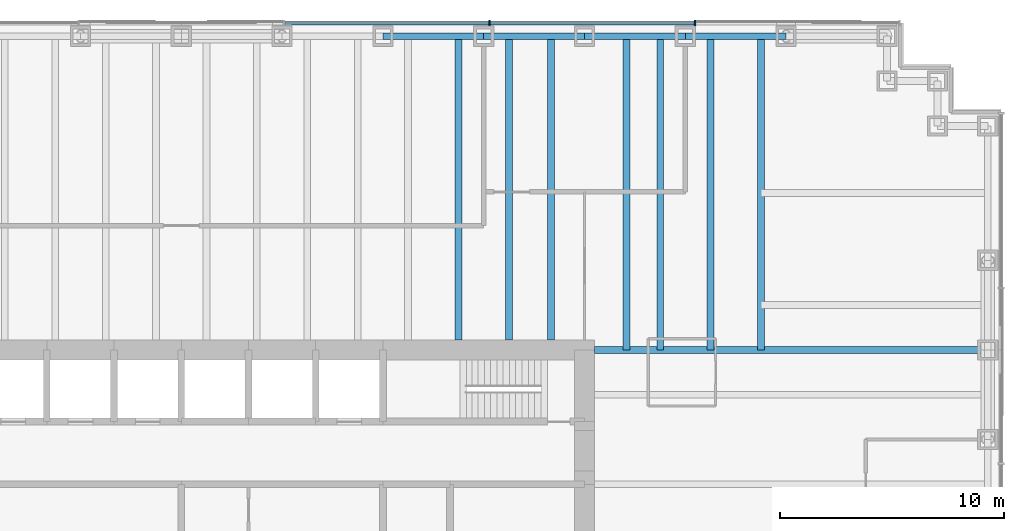
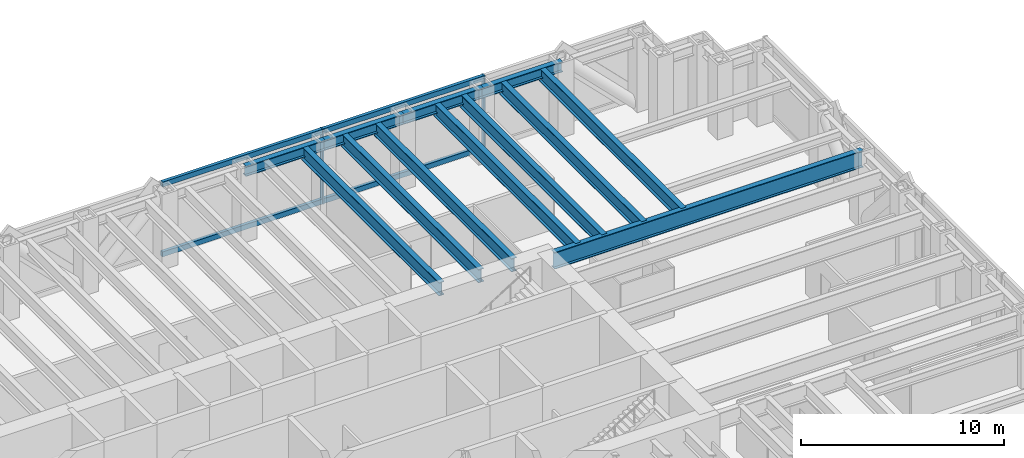
# One storey, part 6 of 13: 12 beams, 6 members, 1 element without a shape of its own.
"""IFC4 building model written with IfcOpenShell, lengths in metres."""

from ifc_helpers import new_model, si_unit, direction, frame, origin, origin_2d, place, context, subcontext, project, spatial, rectangle, i_section, extrude, material, material_profile, profile_set, type_object, element, aggregate, save


model = new_model("IFC4")

# Units and contexts
model_context = context("Model", 3, precision=1e-05, world=origin(), true_north=direction((0.0, 1.0)))
body_context = subcontext(model_context, "Body", "Model", "MODEL_VIEW")
ifc_project = project(units=[si_unit("LENGTHUNIT", "METRE"), si_unit("AREAUNIT", "SQUARE_METRE"), si_unit("VOLUMEUNIT", "CUBIC_METRE"), si_unit("PLANEANGLEUNIT", "RADIAN"), si_unit("MASSUNIT", "GRAM", prefix="KILO")], contexts=[model_context])

# Site, building, storey
site_placement = place(None, origin())
site = spatial("IfcSite", under=ifc_project, at=site_placement, CompositionType="ELEMENT")
building_placement = place(site_placement, origin())
building = spatial("IfcBuilding", under=site, at=building_placement, Name="Rheinbord Bourse Tower", CompositionType="ELEMENT")
storey_placement = place(building_placement, frame((0.0, 0.0, 32.0)))
storey = spatial("IfcBuildingStorey", under=building, at=storey_placement, Name="L06", CompositionType="ELEMENT", Elevation=32.0)

# Curtain wall, members
ifc_material_1 = material(Name="Dark glass and black aluminium", Category="aluminium")
curtain_wall_type = type_object("IfcCurtainWallType", Name="CW1 DARK GLASS CURTAIN WALL", PredefinedType="USERDEFINED", material=ifc_material_1)
curtain_wall_placement = place(storey_placement, origin())
curtain_wall = element("IfcCurtainWall", 1, at=curtain_wall_placement, inside=storey, type_object=curtain_wall_type, Name="Curtain wall CW1 N L06", ObjectType="UNITISED CURTAIN WALL", PredefinedType="USERDEFINED")
ifc_material_2 = material(Name="Black anodised aluminium", Category="aluminium")
ifc_material_profile_1 = material_profile(ifc_material_2, rectangle(XDim=0.25, YDim=0.080078125, at=origin_2d()), Name="CW1 MULLION 80x250")
ifc_profile_set_1 = profile_set([ifc_material_profile_1], Name="Black anodised aluminium")
member_type_1 = type_object("IfcMemberType", Name="CW1 BLACK MULLION", PredefinedType="MULLION", material=ifc_profile_set_1)
member_1_placement = place(storey_placement, frame((58.928466796875, 46.60009765625, 0.0), z_axis=(0.0, 0.0, 1.0), x_axis=(0.0, -1.0, 0.0)))
member_1 = element("IfcMember", 2, at=member_1_placement, type_object=member_type_1, Name="CW1 mullion 2", PredefinedType="MULLION", context=body_context, shape_type="SweptSolid", body=[
    extrude(rectangle(XDim=0.25, YDim=0.080078125, at=origin_2d()), origin(), (0.0, 0.0, 1.0), 4.5),
])
member_2_placement = place(storey_placement, frame((49.757080078125, 46.60009765625, 0.0), z_axis=(0.0, 0.0, 1.0), x_axis=(0.0, -1.0, 0.0)))
member_2 = element("IfcMember", 3, at=member_2_placement, type_object=member_type_1, Name="CW1 mullion 3", PredefinedType="MULLION", context=body_context, shape_type="SweptSolid", body=[
    extrude(rectangle(XDim=0.25, YDim=0.080078125, at=origin_2d()), origin(), (0.0, 0.0, 1.0), 4.5),
])
ifc_material_3 = material(Name="Black anodised aluminium", Category="aluminium")
ifc_material_profile_2 = material_profile(ifc_material_3, rectangle(XDim=0.179931640625, YDim=0.300048828125, at=origin_2d()), Name="CW1 TRANSOM 300x180")
ifc_profile_set_2 = profile_set([ifc_material_profile_2], Name="Black anodised aluminium")
member_type_2 = type_object("IfcMemberType", Name="CW1 BLACK TRANSOM", PredefinedType="USERDEFINED", material=ifc_profile_set_2)
member_3_placement = place(storey_placement, frame((58.888671875, 46.60009765625, 0.14990234375), z_axis=(-1.0, 0.0, 0.0), x_axis=(0.0, -1.0, 0.0)))
member_3 = element("IfcMember", 4, at=member_3_placement, type_object=member_type_2, Name="CW1 transom 2.1", ObjectType="TRANSOM", PredefinedType="USERDEFINED", context=body_context, shape_type="SweptSolid", body=[
    extrude(rectangle(XDim=0.179931640625, YDim=0.300048828125, at=origin_2d()), origin(), (0.0, 0.0, 1.0), 9.091552734375),
])
member_4_placement = place(storey_placement, frame((58.888671875, 46.60009765625, 4.35009765625), z_axis=(-1.0, 0.0, 0.0), x_axis=(0.0, -1.0, 0.0)))
member_4 = element("IfcMember", 5, at=member_4_placement, type_object=member_type_2, Name="CW1 transom 2.2", ObjectType="TRANSOM", PredefinedType="USERDEFINED", context=body_context, shape_type="SweptSolid", body=[
    extrude(rectangle(XDim=0.179931640625, YDim=0.300048828125, at=origin_2d()), origin(), (0.0, 0.0, 1.0), 9.091552734375),
])
member_5_placement = place(storey_placement, frame((49.717041015625, 46.60009765625, 0.14990234375), z_axis=(-1.0, 0.0, 0.0), x_axis=(0.0, -1.0, 0.0)))
member_5 = element("IfcMember", 6, at=member_5_placement, type_object=member_type_2, Name="CW1 transom 3.1", ObjectType="TRANSOM", PredefinedType="USERDEFINED", context=body_context, shape_type="SweptSolid", body=[
    extrude(rectangle(XDim=0.179931640625, YDim=0.300048828125, at=origin_2d()), origin(), (0.0, 0.0, 1.0), 9.09130859375),
])
member_6_placement = place(storey_placement, frame((49.717041015625, 46.60009765625, 4.35009765625), z_axis=(-1.0, 0.0, 0.0), x_axis=(0.0, -1.0, 0.0)))
member_6 = element("IfcMember", 7, at=member_6_placement, type_object=member_type_2, Name="CW1 transom 3.2", ObjectType="TRANSOM", PredefinedType="USERDEFINED", context=body_context, shape_type="SweptSolid", body=[
    extrude(rectangle(XDim=0.179931640625, YDim=0.300048828125, at=origin_2d()), origin(), (0.0, 0.0, 1.0), 9.09130859375),
])
aggregate(curtain_wall, [member_1, member_2, member_3, member_4, member_5, member_6])

# Beams
ifc_material_4 = material(Name="Steel S460", Category="steel")
ifc_material_profile_3 = material_profile(ifc_material_4, i_section(OverallWidth=0.300048828125, OverallDepth=0.800048828125, WebThickness=0.017578125, FlangeThickness=0.032958984375, at=origin_2d()), Name="HEB 800")
ifc_profile_set_3 = profile_set([ifc_material_profile_3], Name="Steel S460")
beam_type_1 = type_object("IfcBeamType", Name="FLOOR BEAM HEB 800", PredefinedType="BEAM", material=ifc_profile_set_3)
for number, where, z_axis, x_axis, name in (
    (8, (48.375, 46.0, 3.919921875), (0.0, -1.0, 0.0), (1.0, 0.0, 0.0), "Floor beam N-45b L07"),
    (9, (50.625, 46.0, 3.919921875), (0.0, -1.0, 0.0), (1.0, 0.0, 0.0), "Floor beam N-49.5a L07"),
    (10, (52.5, 46.0, 3.919921875), (0.0, -1.0, 0.0), (1.0, 0.0, 0.0), "Floor beam N-49.5b L07"),
):
    element("IfcBeam", number, at=place(storey_placement, frame(where, z_axis=z_axis, x_axis=x_axis)), inside=storey, type_object=beam_type_1, Name=name, PredefinedType="BEAM", context=body_context, shape_type="SweptSolid", body=[
        extrude(i_section(OverallWidth=0.300048828125, OverallDepth=0.800048828125, WebThickness=0.017578125, FlangeThickness=0.032958984375, at=origin_2d()), origin(), (0.0, 0.0, 1.0), 13.550048828125),
    ])
for number, where, z_axis, x_axis, name in (
    (11, (55.875, 46.0, 3.919921875), (0.0, -1.0, 0.0), (1.0, 0.0, 0.0), "Floor beam N-54a L07"),
    (12, (57.375, 46.0, 3.919921875), (0.0, -1.0, 0.0), (1.0, 0.0, 0.0), "Floor beam N-54b L07"),
    (13, (59.625, 46.0, 3.919921875), (0.0, -1.0, 0.0), (1.0, 0.0, 0.0), "Floor beam N-58.5a L07"),
    (14, (61.875, 46.0, 3.919921875), (0.0, -1.0, 0.0), (1.0, 0.0, 0.0), "Floor beam N-58.5b L07"),
):
    element("IfcBeam", number, at=place(storey_placement, frame(where, z_axis=z_axis, x_axis=x_axis)), inside=storey, type_object=beam_type_1, Name=name, PredefinedType="BEAM", context=body_context, shape_type="SweptSolid", body=[
        extrude(i_section(OverallWidth=0.300048828125, OverallDepth=0.800048828125, WebThickness=0.017578125, FlangeThickness=0.032958984375, at=origin_2d()), origin(), (0.0, 0.0, 1.0), 14.0),
    ])
ifc_material_5 = material(Name="Steel S460", Category="steel")
ifc_material_profile_4 = material_profile(ifc_material_5, i_section(OverallWidth=0.302001953125, OverallDepth=1.008056640625, WebThickness=0.02099609375, FlangeThickness=0.0400390625, at=origin_2d()), Name="HEM 1000")
ifc_profile_set_4 = profile_set([ifc_material_profile_4], Name="Steel S460")
beam_type_2 = type_object("IfcBeamType", Name="GIRDER HEM 1000", PredefinedType="BEAM", material=ifc_profile_set_4)
beam_placement = place(storey_placement, frame((54.449951171875, 32.0, 3.81591796875), z_axis=(1.0, 0.0, 0.0), x_axis=(0.0, 1.0, 0.0)))
element("IfcBeam", 15, at=beam_placement, inside=storey, type_object=beam_type_2, Name="Girder east 32 L07", PredefinedType="BEAM", context=body_context, shape_type="SweptSolid", body=[
    extrude(i_section(OverallWidth=0.302001953125, OverallDepth=1.008056640625, WebThickness=0.02099609375, FlangeThickness=0.0400390625, at=origin_2d()), origin(), (0.0, 0.0, 1.0), 17.550048828125),
])
ifc_material_6 = material(Name="Steel S460", Category="steel")
ifc_material_profile_5 = material_profile(ifc_material_6, i_section(OverallWidth=0.304931640625, OverallDepth=0.6201171875, WebThickness=0.02099609375, FlangeThickness=0.0400390625, at=origin_2d()), Name="HEM 600")
ifc_profile_set_5 = profile_set([ifc_material_profile_5], Name="Steel S460")
beam_type_3 = type_object("IfcBeamType", Name="SPANDREL HEM 600", PredefinedType="SPANDREL", material=ifc_profile_set_5)
for number, where, z_axis, x_axis, name in (
    (16, (63.0, 46.0, 4.010009765625), (-1.0, 0.0, 0.0), (0.0, -1.0, 0.0), "Spandrel N-63-N-58.5 under L07"),
    (17, (58.5, 46.0, 4.010009765625), (-1.0, 0.0, 0.0), (0.0, -1.0, 0.0), "Spandrel N-58.5-N-54 under L07"),
    (18, (54.0, 46.0, 4.010009765625), (-1.0, 0.0, 0.0), (0.0, -1.0, 0.0), "Spandrel N-54-N-49.5 under L07"),
    (19, (49.5, 46.0, 4.010009765625), (-1.0, 0.0, 0.0), (0.0, -1.0, 0.0), "Spandrel N-49.5-N-45 under L07"),
):
    element("IfcBeam", number, at=place(storey_placement, frame(where, z_axis=z_axis, x_axis=x_axis)), inside=storey, type_object=beam_type_3, Name=name, PredefinedType="SPANDREL", context=body_context, shape_type="SweptSolid", body=[
        extrude(i_section(OverallWidth=0.304931640625, OverallDepth=0.6201171875, WebThickness=0.02099609375, FlangeThickness=0.0400390625, at=origin_2d()), origin(), (0.0, 0.0, 1.0), 4.5),
    ])

save(model, "model.ifc")
